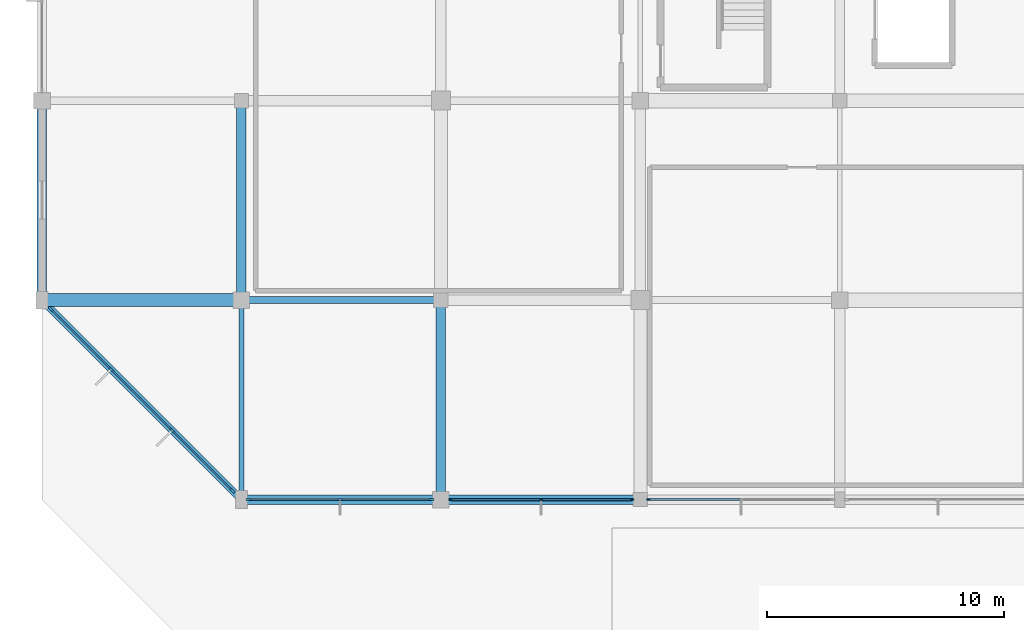
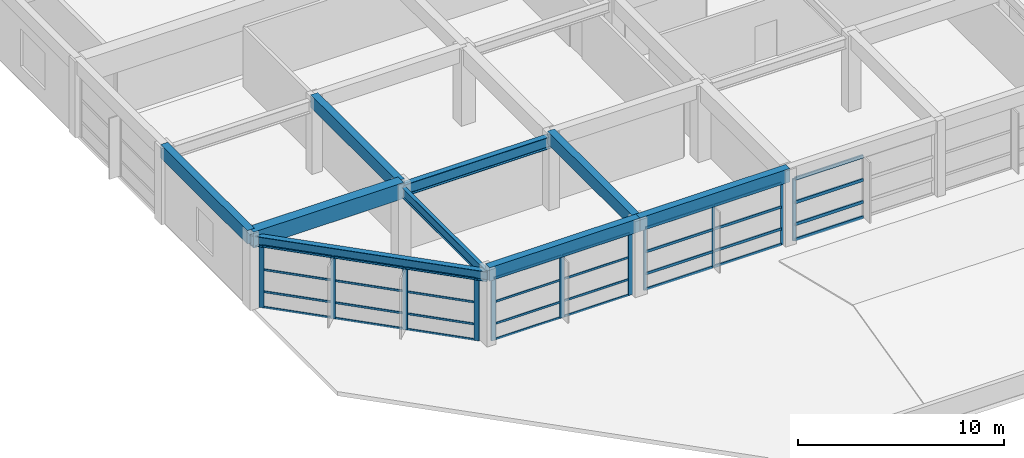
# One storey, part 8 of 60: 43 members, 9 beams, 4 elements without a shape of their own.
"""IFC4 building model written with IfcOpenShell, lengths in metres."""

from ifc_helpers import new_model, si_unit, direction, frame, origin, origin_2d, place, context, subcontext, project, spatial, rectangle, i_section, extrude, material, material_profile, profile_set, type_object, element, aggregate, save


model = new_model("IFC4")

# Units and contexts
model_context = context("Model", 3, precision=1e-05, world=origin(), true_north=direction((0.0, 1.0)))
body_context = subcontext(model_context, "Body", "Model", "MODEL_VIEW")
ifc_project = project(units=[si_unit("LENGTHUNIT", "METRE"), si_unit("AREAUNIT", "SQUARE_METRE"), si_unit("VOLUMEUNIT", "CUBIC_METRE"), si_unit("PLANEANGLEUNIT", "RADIAN"), si_unit("MASSUNIT", "GRAM", prefix="KILO")], contexts=[model_context])

# Site, building, storey
site_placement = place(None, origin())
site = spatial("IfcSite", under=ifc_project, at=site_placement, CompositionType="ELEMENT")
building_placement = place(site_placement, origin())
building = spatial("IfcBuilding", under=site, at=building_placement, Name="Xuanlan Plaza Opera House", CompositionType="ELEMENT")
storey_placement = place(building_placement, frame((0.0, 0.0, 9.89990234375)))
storey = spatial("IfcBuildingStorey", under=building, at=storey_placement, Name="L02", CompositionType="ELEMENT", Elevation=9.89990234375)

# Curtain wall, members
ifc_material_1 = material(Name="Anodised Aluminium 6063-T6 and Low-E Glass", Category="aluminium")
curtain_wall_type_1 = type_object("IfcCurtainWallType", Name="ENV-CW-CW-02", PredefinedType="USERDEFINED", material=ifc_material_1)
curtain_wall_1_placement = place(storey_placement, origin())
curtain_wall_1 = element("IfcCurtainWall", 1, at=curtain_wall_1_placement, inside=storey, type_object=curtain_wall_type_1, Name="Unitised Curtain Wall L02-002", ObjectType="UNITISED CURTAIN WALL", PredefinedType="USERDEFINED")
ifc_material_2 = material(Name="Anodised Aluminium 6063-T6", Category="aluminium")
ifc_material_profile_1 = material_profile(ifc_material_2, rectangle(XDim=0.06494140625, YDim=0.159912109375, at=origin_2d()), Name="ALU-M 65x160")
ifc_profile_set_1 = profile_set([ifc_material_profile_1], Name="Anodised Aluminium 6063-T6")
member_type_1 = type_object("IfcMemberType", Name="ENV-CWM-01", PredefinedType="MULLION", material=ifc_profile_set_1)
member_1_placement = place(storey_placement, frame((17.202392578125, 16.800048828125, 0.0), z_axis=(0.0, 0.0, 1.0), x_axis=(0.0, 1.0, 0.0)))
member_1 = element("IfcMember", 2, at=member_1_placement, type_object=member_type_1, Name="CW-02 mullion 1", PredefinedType="MULLION", context=body_context, shape_type="SweptSolid", body=[
    extrude(rectangle(XDim=0.06494140625, YDim=0.159912109375, at=origin_2d()), origin(), (0.0, 0.0, 1.0), 3.68017578125),
])
member_2_placement = place(storey_placement, frame((21.02490234375, 16.800048828125, 0.0), z_axis=(0.0, 0.0, 1.0), x_axis=(0.0, 1.0, 0.0)))
member_2 = element("IfcMember", 3, at=member_2_placement, type_object=member_type_1, Name="CW-02 mullion 2", PredefinedType="MULLION", context=body_context, shape_type="SweptSolid", body=[
    extrude(rectangle(XDim=0.06494140625, YDim=0.159912109375, at=origin_2d()), origin(), (0.0, 0.0, 1.0), 3.68017578125),
])
member_3_placement = place(storey_placement, frame((24.847412109375, 16.800048828125, 0.0), z_axis=(0.0, 0.0, 1.0), x_axis=(0.0, 1.0, 0.0)))
member_3 = element("IfcMember", 4, at=member_3_placement, type_object=member_type_1, Name="CW-02 mullion 3", PredefinedType="MULLION", context=body_context, shape_type="SweptSolid", body=[
    extrude(rectangle(XDim=0.06494140625, YDim=0.159912109375, at=origin_2d()), origin(), (0.0, 0.0, 1.0), 3.68017578125),
])

# Curtain wall, member
curtain_wall_type_2 = type_object("IfcCurtainWallType", Name="ENV-CW-CW-03", PredefinedType="USERDEFINED", material=ifc_material_1)
curtain_wall_2_placement = place(storey_placement, origin())
curtain_wall_2 = element("IfcCurtainWall", 5, at=curtain_wall_2_placement, inside=storey, type_object=curtain_wall_type_2, Name="Unitised Curtain Wall L02-003", ObjectType="UNITISED CURTAIN WALL", PredefinedType="USERDEFINED")
ifc_material_profile_2 = material_profile(ifc_material_2, rectangle(XDim=0.070068359375, YDim=0.179931640625, at=origin_2d()), Name="ALU-M 70x180")
ifc_profile_set_2 = profile_set([ifc_material_profile_2], Name="Anodised Aluminium 6063-T6")
member_type_2 = type_object("IfcMemberType", Name="ENV-CWM-02", PredefinedType="MULLION", material=ifc_profile_set_2)
member_4_placement = place(storey_placement, frame((25.554931640625, 16.800048828125, 0.0), z_axis=(0.0, 0.0, 1.0), x_axis=(0.0, 1.0, 0.0)))
member_4 = element("IfcMember", 6, at=member_4_placement, type_object=member_type_2, Name="CW-03 mullion 1", PredefinedType="MULLION", context=body_context, shape_type="SweptSolid", body=[
    extrude(rectangle(XDim=0.070068359375, YDim=0.179931640625, at=origin_2d()), origin(), (0.0, 0.0, 1.0), 3.68017578125),
])

# Curtain wall, members
curtain_wall_type_3 = type_object("IfcCurtainWallType", Name="ENV-CW-CW-01", PredefinedType="USERDEFINED", material=ifc_material_1)
curtain_wall_3_placement = place(storey_placement, origin())
curtain_wall_3 = element("IfcCurtainWall", 7, at=curtain_wall_3_placement, inside=storey, type_object=curtain_wall_type_3, Name="Unitised Curtain Wall L02-001", ObjectType="UNITISED CURTAIN WALL", PredefinedType="USERDEFINED")
ifc_material_profile_3 = material_profile(ifc_material_2, rectangle(XDim=0.090087890625, YDim=0.25, at=origin_2d()), Name="ALU-M 90x250")
ifc_profile_set_3 = profile_set([ifc_material_profile_3], Name="Anodised Aluminium 6063-T6")
member_type_3 = type_object("IfcMemberType", Name="ENV-CWM-05", PredefinedType="MULLION", material=ifc_profile_set_3)
member_5_placement = place(storey_placement, frame((8.715087890625, 16.800048828125, 0.0), z_axis=(0.0, 0.0, 1.0), x_axis=(0.0, 1.0, 0.0)))
member_5 = element("IfcMember", 8, at=member_5_placement, type_object=member_type_3, Name="CW-01 mullion 1", PredefinedType="MULLION", context=body_context, shape_type="SweptSolid", body=[
    extrude(rectangle(XDim=0.090087890625, YDim=0.25, at=origin_2d()), origin(), (0.0, 0.0, 1.0), 3.68017578125),
])
member_6_placement = place(storey_placement, frame((12.550048828125, 16.800048828125, 0.0), z_axis=(0.0, 0.0, 1.0), x_axis=(0.0, 1.0, 0.0)))
member_6 = element("IfcMember", 9, at=member_6_placement, type_object=member_type_3, Name="CW-01 mullion 2", PredefinedType="MULLION", context=body_context, shape_type="SweptSolid", body=[
    extrude(rectangle(XDim=0.090087890625, YDim=0.25, at=origin_2d()), origin(), (0.0, 0.0, 1.0), 3.68017578125),
])
member_7_placement = place(storey_placement, frame((16.385009765625, 16.800048828125, 0.0), z_axis=(0.0, 0.0, 1.0), x_axis=(0.0, 1.0, 0.0)))
member_7 = element("IfcMember", 10, at=member_7_placement, type_object=member_type_3, Name="CW-01 mullion 3", PredefinedType="MULLION", context=body_context, shape_type="SweptSolid", body=[
    extrude(rectangle(XDim=0.090087890625, YDim=0.25, at=origin_2d()), origin(), (0.0, 0.0, 1.0), 3.68017578125),
])

curtain_wall_type_4 = type_object("IfcCurtainWallType", Name="ENV-CW-CW-04", PredefinedType="USERDEFINED", material=ifc_material_1)
curtain_wall_4_placement = place(storey_placement, origin())
curtain_wall_4 = element("IfcCurtainWall", 11, at=curtain_wall_4_placement, inside=storey, type_object=curtain_wall_type_4, Name="Unitised Curtain Wall L02-056", ObjectType="UNITISED CURTAIN WALL", PredefinedType="USERDEFINED")
member_8_placement = place(storey_placement, frame((0.380859375, 24.819091796875, 0.0), z_axis=(0.0, 0.0, 1.0), x_axis=(0.707106781187, 0.707106781187, 0.0)))
member_8 = element("IfcMember", 12, at=member_8_placement, type_object=member_type_3, Name="CW-04 mullion 1", PredefinedType="MULLION", context=body_context, shape_type="SweptSolid", body=[
    extrude(rectangle(XDim=0.090087890625, YDim=0.25, at=origin_2d()), origin(), (0.0, 0.0, 1.0), 3.68017578125),
])
member_9_placement = place(storey_placement, frame((2.916259765625, 22.28369140625, 0.0), z_axis=(0.0, 0.0, 1.0), x_axis=(0.707106781187, 0.707106781187, 0.0)))
member_9 = element("IfcMember", 13, at=member_9_placement, type_object=member_type_3, Name="CW-04 mullion 2", PredefinedType="MULLION", context=body_context, shape_type="SweptSolid", body=[
    extrude(rectangle(XDim=0.090087890625, YDim=0.25, at=origin_2d()), origin(), (0.0, 0.0, 1.0), 3.68017578125),
])
member_10_placement = place(storey_placement, frame((5.483642578125, 19.71630859375, 0.0), z_axis=(0.0, 0.0, 1.0), x_axis=(0.707106781187, 0.707106781187, 0.0)))
member_10 = element("IfcMember", 14, at=member_10_placement, type_object=member_type_3, Name="CW-04 mullion 3", PredefinedType="MULLION", context=body_context, shape_type="SweptSolid", body=[
    extrude(rectangle(XDim=0.090087890625, YDim=0.25, at=origin_2d()), origin(), (0.0, 0.0, 1.0), 3.68017578125),
])
member_11_placement = place(storey_placement, frame((8.019287109375, 17.180908203125, 0.0), z_axis=(0.0, 0.0, 1.0), x_axis=(0.707106781187, 0.707106781187, 0.0)))
member_11 = element("IfcMember", 15, at=member_11_placement, type_object=member_type_3, Name="CW-04 mullion 4", PredefinedType="MULLION", context=body_context, shape_type="SweptSolid", body=[
    extrude(rectangle(XDim=0.090087890625, YDim=0.25, at=origin_2d()), origin(), (0.0, 0.0, 1.0), 3.68017578125),
])

# Member
ifc_material_profile_4 = material_profile(ifc_material_2, rectangle(XDim=0.06494140625, YDim=0.1201171875, at=origin_2d()), Name="ALU-T 65x120")
ifc_profile_set_4 = profile_set([ifc_material_profile_4], Name="Anodised Aluminium 6063-T6")
member_type_4 = type_object("IfcMemberType", Name="ENV-CWT-01", PredefinedType="USERDEFINED", material=ifc_profile_set_4)
member_12_placement = place(storey_placement, frame((8.760009765625, 16.800048828125, 0.03271484375), z_axis=(1.0, 0.0, 0.0), x_axis=(0.0, 1.0, 0.0)))
member_12 = element("IfcMember", 16, at=member_12_placement, type_object=member_type_4, Name="CW-01 transom 1.1", ObjectType="TRANSOM", PredefinedType="USERDEFINED", context=body_context, shape_type="SweptSolid", body=[
    extrude(rectangle(XDim=0.06494140625, YDim=0.1201171875, at=origin_2d()), origin(), (0.0, 0.0, 1.0), 3.744873046875),
])

member_13_placement = place(storey_placement, frame((8.760009765625, 16.800048828125, 0.9501953125), z_axis=(1.0, 0.0, 0.0), x_axis=(0.0, 1.0, 0.0)))
member_13 = element("IfcMember", 17, at=member_13_placement, type_object=member_type_4, Name="CW-01 transom 1.2", ObjectType="TRANSOM", PredefinedType="USERDEFINED", context=body_context, shape_type="SweptSolid", body=[
    extrude(rectangle(XDim=0.06494140625, YDim=0.1201171875, at=origin_2d()), origin(), (0.0, 0.0, 1.0), 3.744873046875),
])

member_14_placement = place(storey_placement, frame((8.760009765625, 16.800048828125, 2.25), z_axis=(1.0, 0.0, 0.0), x_axis=(0.0, 1.0, 0.0)))
member_14 = element("IfcMember", 18, at=member_14_placement, type_object=member_type_4, Name="CW-01 transom 1.3", ObjectType="TRANSOM", PredefinedType="USERDEFINED", context=body_context, shape_type="SweptSolid", body=[
    extrude(rectangle(XDim=0.06494140625, YDim=0.1201171875, at=origin_2d()), origin(), (0.0, 0.0, 1.0), 3.744873046875),
])

member_15_placement = place(storey_placement, frame((8.760009765625, 16.800048828125, 3.647705078125), z_axis=(1.0, 0.0, 0.0), x_axis=(0.0, 1.0, 0.0)))
member_15 = element("IfcMember", 19, at=member_15_placement, type_object=member_type_4, Name="CW-01 transom 1.4", ObjectType="TRANSOM", PredefinedType="USERDEFINED", context=body_context, shape_type="SweptSolid", body=[
    extrude(rectangle(XDim=0.06494140625, YDim=0.1201171875, at=origin_2d()), origin(), (0.0, 0.0, 1.0), 3.744873046875),
])

member_16_placement = place(storey_placement, frame((12.594970703125, 16.800048828125, 0.03271484375), z_axis=(1.0, 0.0, 0.0), x_axis=(0.0, 1.0, 0.0)))
member_16 = element("IfcMember", 20, at=member_16_placement, type_object=member_type_4, Name="CW-01 transom 2.1", ObjectType="TRANSOM", PredefinedType="USERDEFINED", context=body_context, shape_type="SweptSolid", body=[
    extrude(rectangle(XDim=0.06494140625, YDim=0.1201171875, at=origin_2d()), origin(), (0.0, 0.0, 1.0), 3.7451171875),
])

member_17_placement = place(storey_placement, frame((12.594970703125, 16.800048828125, 0.9501953125), z_axis=(1.0, 0.0, 0.0), x_axis=(0.0, 1.0, 0.0)))
member_17 = element("IfcMember", 21, at=member_17_placement, type_object=member_type_4, Name="CW-01 transom 2.2", ObjectType="TRANSOM", PredefinedType="USERDEFINED", context=body_context, shape_type="SweptSolid", body=[
    extrude(rectangle(XDim=0.06494140625, YDim=0.1201171875, at=origin_2d()), origin(), (0.0, 0.0, 1.0), 3.7451171875),
])

member_18_placement = place(storey_placement, frame((12.594970703125, 16.800048828125, 2.25), z_axis=(1.0, 0.0, 0.0), x_axis=(0.0, 1.0, 0.0)))
member_18 = element("IfcMember", 22, at=member_18_placement, type_object=member_type_4, Name="CW-01 transom 2.3", ObjectType="TRANSOM", PredefinedType="USERDEFINED", context=body_context, shape_type="SweptSolid", body=[
    extrude(rectangle(XDim=0.06494140625, YDim=0.1201171875, at=origin_2d()), origin(), (0.0, 0.0, 1.0), 3.7451171875),
])

member_19_placement = place(storey_placement, frame((12.594970703125, 16.800048828125, 3.647705078125), z_axis=(1.0, 0.0, 0.0), x_axis=(0.0, 1.0, 0.0)))
member_19 = element("IfcMember", 23, at=member_19_placement, type_object=member_type_4, Name="CW-01 transom 2.4", ObjectType="TRANSOM", PredefinedType="USERDEFINED", context=body_context, shape_type="SweptSolid", body=[
    extrude(rectangle(XDim=0.06494140625, YDim=0.1201171875, at=origin_2d()), origin(), (0.0, 0.0, 1.0), 3.7451171875),
])

aggregate(curtain_wall_3, [member_5, member_6, member_7, member_12, member_13, member_14, member_15, member_16, member_17, member_18, member_19])

member_20_placement = place(storey_placement, frame((0.41259765625, 24.787353515625, 0.03271484375), z_axis=(0.707106781187, -0.707106781187, 0.0), x_axis=(0.707106781187, 0.707106781187, 0.0)))
member_20 = element("IfcMember", 24, at=member_20_placement, type_object=member_type_4, Name="CW-04 transom 1.1", ObjectType="TRANSOM", PredefinedType="USERDEFINED", context=body_context, shape_type="SweptSolid", body=[
    extrude(rectangle(XDim=0.06494140625, YDim=0.1201171875, at=origin_2d()), origin(), (0.0, 0.0, 1.0), 3.495849609375),
])

member_21_placement = place(storey_placement, frame((0.41259765625, 24.787353515625, 0.9501953125), z_axis=(0.707106781187, -0.707106781187, 0.0), x_axis=(0.707106781187, 0.707106781187, 0.0)))
member_21 = element("IfcMember", 25, at=member_21_placement, type_object=member_type_4, Name="CW-04 transom 1.2", ObjectType="TRANSOM", PredefinedType="USERDEFINED", context=body_context, shape_type="SweptSolid", body=[
    extrude(rectangle(XDim=0.06494140625, YDim=0.1201171875, at=origin_2d()), origin(), (0.0, 0.0, 1.0), 3.495849609375),
])

member_22_placement = place(storey_placement, frame((0.41259765625, 24.787353515625, 2.25), z_axis=(0.707106781187, -0.707106781187, 0.0), x_axis=(0.707106781187, 0.707106781187, 0.0)))
member_22 = element("IfcMember", 26, at=member_22_placement, type_object=member_type_4, Name="CW-04 transom 1.3", ObjectType="TRANSOM", PredefinedType="USERDEFINED", context=body_context, shape_type="SweptSolid", body=[
    extrude(rectangle(XDim=0.06494140625, YDim=0.1201171875, at=origin_2d()), origin(), (0.0, 0.0, 1.0), 3.495849609375),
])

member_23_placement = place(storey_placement, frame((0.41259765625, 24.787353515625, 3.647705078125), z_axis=(0.707106781187, -0.707106781187, 0.0), x_axis=(0.707106781187, 0.707106781187, 0.0)))
member_23 = element("IfcMember", 27, at=member_23_placement, type_object=member_type_4, Name="CW-04 transom 1.4", ObjectType="TRANSOM", PredefinedType="USERDEFINED", context=body_context, shape_type="SweptSolid", body=[
    extrude(rectangle(XDim=0.06494140625, YDim=0.1201171875, at=origin_2d()), origin(), (0.0, 0.0, 1.0), 3.495849609375),
])

member_24_placement = place(storey_placement, frame((2.9482421875, 22.251953125, 0.03271484375), z_axis=(0.707072305831, -0.707141254861, 0.0), x_axis=(0.707141254861, 0.707072305831, 0.0)))
member_24 = element("IfcMember", 28, at=member_24_placement, type_object=member_type_4, Name="CW-04 transom 2.1", ObjectType="TRANSOM", PredefinedType="USERDEFINED", context=body_context, shape_type="SweptSolid", body=[
    extrude(rectangle(XDim=0.06494140625, YDim=0.1201171875, at=origin_2d()), origin(), (0.0, 0.0, 1.0), 3.540771484375),
])

member_25_placement = place(storey_placement, frame((2.9482421875, 22.251953125, 0.9501953125), z_axis=(0.707072305831, -0.707141254861, 0.0), x_axis=(0.707141254861, 0.707072305831, 0.0)))
member_25 = element("IfcMember", 29, at=member_25_placement, type_object=member_type_4, Name="CW-04 transom 2.2", ObjectType="TRANSOM", PredefinedType="USERDEFINED", context=body_context, shape_type="SweptSolid", body=[
    extrude(rectangle(XDim=0.06494140625, YDim=0.1201171875, at=origin_2d()), origin(), (0.0, 0.0, 1.0), 3.540771484375),
])

member_26_placement = place(storey_placement, frame((2.9482421875, 22.251953125, 2.25), z_axis=(0.707072305831, -0.707141254861, 0.0), x_axis=(0.707141254861, 0.707072305831, 0.0)))
member_26 = element("IfcMember", 30, at=member_26_placement, type_object=member_type_4, Name="CW-04 transom 2.3", ObjectType="TRANSOM", PredefinedType="USERDEFINED", context=body_context, shape_type="SweptSolid", body=[
    extrude(rectangle(XDim=0.06494140625, YDim=0.1201171875, at=origin_2d()), origin(), (0.0, 0.0, 1.0), 3.540771484375),
])

member_27_placement = place(storey_placement, frame((2.9482421875, 22.251953125, 3.647705078125), z_axis=(0.707072305831, -0.707141254861, 0.0), x_axis=(0.707141254861, 0.707072305831, 0.0)))
member_27 = element("IfcMember", 31, at=member_27_placement, type_object=member_type_4, Name="CW-04 transom 2.4", ObjectType="TRANSOM", PredefinedType="USERDEFINED", context=body_context, shape_type="SweptSolid", body=[
    extrude(rectangle(XDim=0.06494140625, YDim=0.1201171875, at=origin_2d()), origin(), (0.0, 0.0, 1.0), 3.540771484375),
])

member_28_placement = place(storey_placement, frame((5.515380859375, 19.6845703125, 0.03271484375), z_axis=(0.707106781187, -0.707106781187, 0.0), x_axis=(0.707106781187, 0.707106781187, 0.0)))
member_28 = element("IfcMember", 32, at=member_28_placement, type_object=member_type_4, Name="CW-04 transom 3.1", ObjectType="TRANSOM", PredefinedType="USERDEFINED", context=body_context, shape_type="SweptSolid", body=[
    extrude(rectangle(XDim=0.06494140625, YDim=0.1201171875, at=origin_2d()), origin(), (0.0, 0.0, 1.0), 3.495849609375),
])

member_29_placement = place(storey_placement, frame((5.515380859375, 19.6845703125, 0.9501953125), z_axis=(0.707106781187, -0.707106781187, 0.0), x_axis=(0.707106781187, 0.707106781187, 0.0)))
member_29 = element("IfcMember", 33, at=member_29_placement, type_object=member_type_4, Name="CW-04 transom 3.2", ObjectType="TRANSOM", PredefinedType="USERDEFINED", context=body_context, shape_type="SweptSolid", body=[
    extrude(rectangle(XDim=0.06494140625, YDim=0.1201171875, at=origin_2d()), origin(), (0.0, 0.0, 1.0), 3.495849609375),
])

member_30_placement = place(storey_placement, frame((5.515380859375, 19.6845703125, 2.25), z_axis=(0.707106781187, -0.707106781187, 0.0), x_axis=(0.707106781187, 0.707106781187, 0.0)))
member_30 = element("IfcMember", 34, at=member_30_placement, type_object=member_type_4, Name="CW-04 transom 3.3", ObjectType="TRANSOM", PredefinedType="USERDEFINED", context=body_context, shape_type="SweptSolid", body=[
    extrude(rectangle(XDim=0.06494140625, YDim=0.1201171875, at=origin_2d()), origin(), (0.0, 0.0, 1.0), 3.495849609375),
])

member_31_placement = place(storey_placement, frame((5.515380859375, 19.6845703125, 3.647705078125), z_axis=(0.707106781187, -0.707106781187, 0.0), x_axis=(0.707106781187, 0.707106781187, 0.0)))
member_31 = element("IfcMember", 35, at=member_31_placement, type_object=member_type_4, Name="CW-04 transom 3.4", ObjectType="TRANSOM", PredefinedType="USERDEFINED", context=body_context, shape_type="SweptSolid", body=[
    extrude(rectangle(XDim=0.06494140625, YDim=0.1201171875, at=origin_2d()), origin(), (0.0, 0.0, 1.0), 3.495849609375),
])

aggregate(curtain_wall_4, [member_8, member_9, member_10, member_11, member_20, member_21, member_22, member_23, member_24, member_25, member_26, member_27, member_28, member_29, member_30, member_31])

ifc_material_profile_5 = material_profile(ifc_material_2, rectangle(XDim=0.074951171875, YDim=0.14990234375, at=origin_2d()), Name="ALU-T 75x150")
ifc_profile_set_5 = profile_set([ifc_material_profile_5], Name="Anodised Aluminium 6063-T6")
member_type_5 = type_object("IfcMemberType", Name="ENV-CWT-03", PredefinedType="USERDEFINED", material=ifc_profile_set_5)
member_32_placement = place(storey_placement, frame((17.235107421875, 16.800048828125, 0.03759765625), z_axis=(1.0, 0.0, 0.0), x_axis=(0.0, 1.0, 0.0)))
member_32 = element("IfcMember", 36, at=member_32_placement, type_object=member_type_5, Name="CW-02 transom 1.1", ObjectType="TRANSOM", PredefinedType="USERDEFINED", context=body_context, shape_type="SweptSolid", body=[
    extrude(rectangle(XDim=0.074951171875, YDim=0.14990234375, at=origin_2d()), origin(), (0.0, 0.0, 1.0), 3.75732421875),
])

member_33_placement = place(storey_placement, frame((17.235107421875, 16.800048828125, 0.9501953125), z_axis=(1.0, 0.0, 0.0), x_axis=(0.0, 1.0, 0.0)))
member_33 = element("IfcMember", 37, at=member_33_placement, type_object=member_type_5, Name="CW-02 transom 1.2", ObjectType="TRANSOM", PredefinedType="USERDEFINED", context=body_context, shape_type="SweptSolid", body=[
    extrude(rectangle(XDim=0.074951171875, YDim=0.14990234375, at=origin_2d()), origin(), (0.0, 0.0, 1.0), 3.75732421875),
])

member_34_placement = place(storey_placement, frame((17.235107421875, 16.800048828125, 2.25), z_axis=(1.0, 0.0, 0.0), x_axis=(0.0, 1.0, 0.0)))
member_34 = element("IfcMember", 38, at=member_34_placement, type_object=member_type_5, Name="CW-02 transom 1.3", ObjectType="TRANSOM", PredefinedType="USERDEFINED", context=body_context, shape_type="SweptSolid", body=[
    extrude(rectangle(XDim=0.074951171875, YDim=0.14990234375, at=origin_2d()), origin(), (0.0, 0.0, 1.0), 3.75732421875),
])

member_35_placement = place(storey_placement, frame((17.235107421875, 16.800048828125, 3.642578125), z_axis=(1.0, 0.0, 0.0), x_axis=(0.0, 1.0, 0.0)))
member_35 = element("IfcMember", 39, at=member_35_placement, type_object=member_type_5, Name="CW-02 transom 1.4", ObjectType="TRANSOM", PredefinedType="USERDEFINED", context=body_context, shape_type="SweptSolid", body=[
    extrude(rectangle(XDim=0.074951171875, YDim=0.14990234375, at=origin_2d()), origin(), (0.0, 0.0, 1.0), 3.75732421875),
])

member_36_placement = place(storey_placement, frame((21.0576171875, 16.800048828125, 0.03759765625), z_axis=(1.0, 0.0, 0.0), x_axis=(0.0, 1.0, 0.0)))
member_36 = element("IfcMember", 40, at=member_36_placement, type_object=member_type_5, Name="CW-02 transom 2.1", ObjectType="TRANSOM", PredefinedType="USERDEFINED", context=body_context, shape_type="SweptSolid", body=[
    extrude(rectangle(XDim=0.074951171875, YDim=0.14990234375, at=origin_2d()), origin(), (0.0, 0.0, 1.0), 3.75732421875),
])

member_37_placement = place(storey_placement, frame((21.0576171875, 16.800048828125, 0.9501953125), z_axis=(1.0, 0.0, 0.0), x_axis=(0.0, 1.0, 0.0)))
member_37 = element("IfcMember", 41, at=member_37_placement, type_object=member_type_5, Name="CW-02 transom 2.2", ObjectType="TRANSOM", PredefinedType="USERDEFINED", context=body_context, shape_type="SweptSolid", body=[
    extrude(rectangle(XDim=0.074951171875, YDim=0.14990234375, at=origin_2d()), origin(), (0.0, 0.0, 1.0), 3.75732421875),
])

member_38_placement = place(storey_placement, frame((21.0576171875, 16.800048828125, 2.25), z_axis=(1.0, 0.0, 0.0), x_axis=(0.0, 1.0, 0.0)))
member_38 = element("IfcMember", 42, at=member_38_placement, type_object=member_type_5, Name="CW-02 transom 2.3", ObjectType="TRANSOM", PredefinedType="USERDEFINED", context=body_context, shape_type="SweptSolid", body=[
    extrude(rectangle(XDim=0.074951171875, YDim=0.14990234375, at=origin_2d()), origin(), (0.0, 0.0, 1.0), 3.75732421875),
])

member_39_placement = place(storey_placement, frame((21.0576171875, 16.800048828125, 3.642578125), z_axis=(1.0, 0.0, 0.0), x_axis=(0.0, 1.0, 0.0)))
member_39 = element("IfcMember", 43, at=member_39_placement, type_object=member_type_5, Name="CW-02 transom 2.4", ObjectType="TRANSOM", PredefinedType="USERDEFINED", context=body_context, shape_type="SweptSolid", body=[
    extrude(rectangle(XDim=0.074951171875, YDim=0.14990234375, at=origin_2d()), origin(), (0.0, 0.0, 1.0), 3.75732421875),
])

aggregate(curtain_wall_1, [member_1, member_2, member_3, member_32, member_33, member_34, member_35, member_36, member_37, member_38, member_39])

ifc_material_profile_6 = material_profile(ifc_material_2, rectangle(XDim=0.090087890625, YDim=0.179931640625, at=origin_2d()), Name="ALU-T 90x180")
ifc_profile_set_6 = profile_set([ifc_material_profile_6], Name="Anodised Aluminium 6063-T6")
member_type_6 = type_object("IfcMemberType", Name="ENV-CWT-05", PredefinedType="USERDEFINED", material=ifc_profile_set_6)
member_40_placement = place(storey_placement, frame((25.590087890625, 16.800048828125, 0.045166015625), z_axis=(1.0, 0.0, 0.0), x_axis=(0.0, 1.0, 0.0)))
member_40 = element("IfcMember", 44, at=member_40_placement, type_object=member_type_6, Name="CW-03 transom 1.1", ObjectType="TRANSOM", PredefinedType="USERDEFINED", context=body_context, shape_type="SweptSolid", body=[
    extrude(rectangle(XDim=0.090087890625, YDim=0.179931640625, at=origin_2d()), origin(), (0.0, 0.0, 1.0), 3.8125),
])

member_41_placement = place(storey_placement, frame((25.590087890625, 16.800048828125, 0.9501953125), z_axis=(1.0, 0.0, 0.0), x_axis=(0.0, 1.0, 0.0)))
member_41 = element("IfcMember", 45, at=member_41_placement, type_object=member_type_6, Name="CW-03 transom 1.2", ObjectType="TRANSOM", PredefinedType="USERDEFINED", context=body_context, shape_type="SweptSolid", body=[
    extrude(rectangle(XDim=0.090087890625, YDim=0.179931640625, at=origin_2d()), origin(), (0.0, 0.0, 1.0), 3.8125),
])

member_42_placement = place(storey_placement, frame((25.590087890625, 16.800048828125, 2.25), z_axis=(1.0, 0.0, 0.0), x_axis=(0.0, 1.0, 0.0)))
member_42 = element("IfcMember", 46, at=member_42_placement, type_object=member_type_6, Name="CW-03 transom 1.3", ObjectType="TRANSOM", PredefinedType="USERDEFINED", context=body_context, shape_type="SweptSolid", body=[
    extrude(rectangle(XDim=0.090087890625, YDim=0.179931640625, at=origin_2d()), origin(), (0.0, 0.0, 1.0), 3.8125),
])

member_43_placement = place(storey_placement, frame((25.590087890625, 16.800048828125, 3.635009765625), z_axis=(1.0, 0.0, 0.0), x_axis=(0.0, 1.0, 0.0)))
member_43 = element("IfcMember", 47, at=member_43_placement, type_object=member_type_6, Name="CW-03 transom 1.4", ObjectType="TRANSOM", PredefinedType="USERDEFINED", context=body_context, shape_type="SweptSolid", body=[
    extrude(rectangle(XDim=0.090087890625, YDim=0.179931640625, at=origin_2d()), origin(), (0.0, 0.0, 1.0), 3.8125),
])

aggregate(curtain_wall_2, [member_4, member_40, member_41, member_42, member_43])

# Beams
ifc_material_3 = material(Name="Concrete C50", Category="concrete")
ifc_material_profile_7 = material_profile(ifc_material_3, rectangle(XDim=0.550048828125, YDim=0.949951171875, at=origin_2d()), Name="RC-BM 550x950")
ifc_profile_set_7 = profile_set([ifc_material_profile_7], Name="Concrete C50")
beam_type_1 = type_object("IfcBeamType", Name="STR-BM-B-02", PredefinedType="BEAM", material=ifc_profile_set_7)
beam_1_placement = place(storey_placement, frame((0.0, 25.199951171875, 4.025146484375), z_axis=(1.0, 0.0, 0.0), x_axis=(0.0, 1.0, 0.0)))
element("IfcBeam", 48, at=beam_1_placement, inside=storey, type_object=beam_type_1, Name="Grid Beam X L02 1-2/D", PredefinedType="BEAM", context=body_context, shape_type="SweptSolid", body=[
    extrude(rectangle(XDim=0.550048828125, YDim=0.949951171875, at=origin_2d()), origin(), (0.0, 0.0, 1.0), 8.39990234375),
])
ifc_material_4 = material(Name="Concrete C40", Category="concrete")
ifc_material_profile_8 = material_profile(ifc_material_4, rectangle(XDim=0.39990234375, YDim=0.75, at=origin_2d()), Name="RC-BM 400x750")
ifc_profile_set_8 = profile_set([ifc_material_profile_8], Name="Concrete C40")
beam_type_2 = type_object("IfcBeamType", Name="STR-BM-B-06", PredefinedType="BEAM", material=ifc_profile_set_8)
beam_2_placement = place(storey_placement, frame((8.39990234375, 25.199951171875, 4.125), z_axis=(0.0, 1.0, 0.0), x_axis=(-1.0, 0.0, 0.0)))
element("IfcBeam", 49, at=beam_2_placement, inside=storey, type_object=beam_type_2, Name="Grid Beam Y L02 2/D-E", PredefinedType="BEAM", context=body_context, shape_type="SweptSolid", body=[
    extrude(rectangle(XDim=0.39990234375, YDim=0.75, at=origin_2d()), origin(), (0.0, 0.0, 1.0), 8.400146484375),
])
beam_3_placement = place(storey_placement, frame((16.800048828125, 16.800048828125, 4.125), z_axis=(0.0, 1.0, 0.0), x_axis=(-1.0, 0.0, 0.0)))
element("IfcBeam", 50, at=beam_3_placement, inside=storey, type_object=beam_type_2, Name="Grid Beam Y L02 3/C-D", PredefinedType="BEAM", context=body_context, shape_type="SweptSolid", body=[
    extrude(rectangle(XDim=0.39990234375, YDim=0.75, at=origin_2d()), origin(), (0.0, 0.0, 1.0), 8.39990234375),
])
ifc_material_5 = material(Name="Steel Q355B", Category="steel")
ifc_material_profile_9 = material_profile(ifc_material_5, i_section(OverallWidth=0.300048828125, OverallDepth=0.699951171875, WebThickness=0.012939453125, FlangeThickness=0.02392578125, FilletRadius=0.02392578125, at=origin_2d()), Name="HN 700x300x13x24")
ifc_profile_set_9 = profile_set([ifc_material_profile_9], Name="Steel Q355B")
beam_type_3 = type_object("IfcBeamType", Name="STR-BM-SB-03", PredefinedType="BEAM", material=ifc_profile_set_9)
beam_4_placement = place(storey_placement, frame((8.39990234375, 25.199951171875, 3.885009765625), z_axis=(1.0, 0.0, 0.0), x_axis=(0.0, 1.0, 0.0)))
element("IfcBeam", 51, at=beam_4_placement, inside=storey, type_object=beam_type_3, Name="Grid Beam X L02 2-3/D", PredefinedType="BEAM", context=body_context, shape_type="SweptSolid", body=[
    extrude(i_section(OverallWidth=0.300048828125, OverallDepth=0.699951171875, WebThickness=0.012939453125, FlangeThickness=0.02392578125, FilletRadius=0.02392578125, at=origin_2d()), origin(), (0.0, 0.0, 1.0), 8.400146484375),
])
ifc_material_profile_10 = material_profile(ifc_material_5, i_section(OverallWidth=0.199951171875, OverallDepth=0.60009765625, WebThickness=0.010986328125, FlangeThickness=0.01708984375, FilletRadius=0.02197265625, at=origin_2d()), Name="HN 600x200x11x17")
ifc_profile_set_10 = profile_set([ifc_material_profile_10], Name="Steel Q355B")
beam_type_4 = type_object("IfcBeamType", Name="STR-BM-SB-04", PredefinedType="BEAM", material=ifc_profile_set_10)
beam_5_placement = place(storey_placement, frame((8.39990234375, 16.800048828125, 3.93505859375), z_axis=(0.0, 1.0, 0.0), x_axis=(-1.0, 0.0, 0.0)))
element("IfcBeam", 52, at=beam_5_placement, inside=storey, type_object=beam_type_4, Name="Grid Beam Y L02 2/C-D", PredefinedType="BEAM", context=body_context, shape_type="SweptSolid", body=[
    extrude(i_section(OverallWidth=0.199951171875, OverallDepth=0.60009765625, WebThickness=0.010986328125, FlangeThickness=0.01708984375, FilletRadius=0.02197265625, at=origin_2d()), origin(), (0.0, 0.0, 1.0), 8.39990234375),
])
ifc_material_profile_11 = material_profile(ifc_material_4, rectangle(XDim=0.39990234375, YDim=0.800048828125, at=origin_2d()), Name="RC-SPD 400x800")
ifc_profile_set_11 = profile_set([ifc_material_profile_11], Name="Concrete C40")
beam_type_5 = type_object("IfcBeamType", Name="STR-BM-SP-01", PredefinedType="SPANDREL", material=ifc_profile_set_11)
beam_6_placement = place(storey_placement, frame((8.39990234375, 16.800048828125, 4.10009765625), z_axis=(1.0, 0.0, 0.0), x_axis=(0.0, 1.0, 0.0)))
element("IfcBeam", 53, at=beam_6_placement, inside=storey, type_object=beam_type_5, Name="Grid Beam X L02 2-3/C", PredefinedType="SPANDREL", context=body_context, shape_type="SweptSolid", body=[
    extrude(rectangle(XDim=0.39990234375, YDim=0.800048828125, at=origin_2d()), origin(), (0.0, 0.0, 1.0), 8.400146484375),
])
beam_7_placement = place(storey_placement, frame((16.800048828125, 16.800048828125, 4.10009765625), z_axis=(1.0, 0.0, 0.0), x_axis=(0.0, 1.0, 0.0)))
element("IfcBeam", 54, at=beam_7_placement, inside=storey, type_object=beam_type_5, Name="Grid Beam X L02 3-4/C", PredefinedType="SPANDREL", context=body_context, shape_type="SweptSolid", body=[
    extrude(rectangle(XDim=0.39990234375, YDim=0.800048828125, at=origin_2d()), origin(), (0.0, 0.0, 1.0), 8.39990234375),
])
beam_8_placement = place(storey_placement, frame((0.0, 25.199951171875, 4.10009765625), z_axis=(0.0, 1.0, 0.0), x_axis=(-1.0, 0.0, 0.0)))
element("IfcBeam", 55, at=beam_8_placement, inside=storey, type_object=beam_type_5, Name="Grid Beam Y L02 1/D-E", PredefinedType="SPANDREL", context=body_context, shape_type="SweptSolid", body=[
    extrude(rectangle(XDim=0.39990234375, YDim=0.800048828125, at=origin_2d()), origin(), (0.0, 0.0, 1.0), 8.400146484375),
])
ifc_material_profile_12 = material_profile(ifc_material_5, i_section(OverallWidth=0.300048828125, OverallDepth=0.587890625, WebThickness=0.011962890625, FlangeThickness=0.02001953125, FilletRadius=0.02392578125, at=origin_2d()), Name="HM 588x300x12x20")
ifc_profile_set_12 = profile_set([ifc_material_profile_12], Name="Steel Q355B")
beam_type_6 = type_object("IfcBeamType", Name="STR-BM-SP-03", PredefinedType="SPANDREL", material=ifc_profile_set_12)
beam_9_placement = place(storey_placement, frame((8.39990234375, 16.800048828125, 3.941162109375), z_axis=(-0.707106781187, 0.707106781187, 0.0), x_axis=(-0.707106781187, -0.707106781187, 0.0)))
element("IfcBeam", 56, at=beam_9_placement, inside=storey, type_object=beam_type_6, Name="Faceted Edge Spandrel L02 CH03", PredefinedType="SPANDREL", context=body_context, shape_type="SweptSolid", body=[
    extrude(i_section(OverallWidth=0.300048828125, OverallDepth=0.587890625, WebThickness=0.011962890625, FlangeThickness=0.02001953125, FilletRadius=0.02392578125, at=origin_2d()), origin(), (0.0, 0.0, 1.0), 11.879150390625),
])

save(model, "model.ifc")
